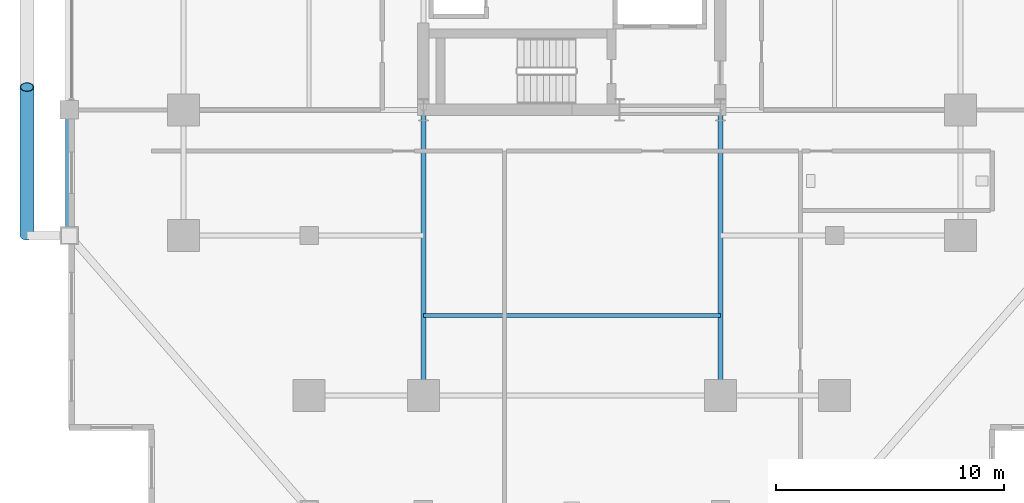
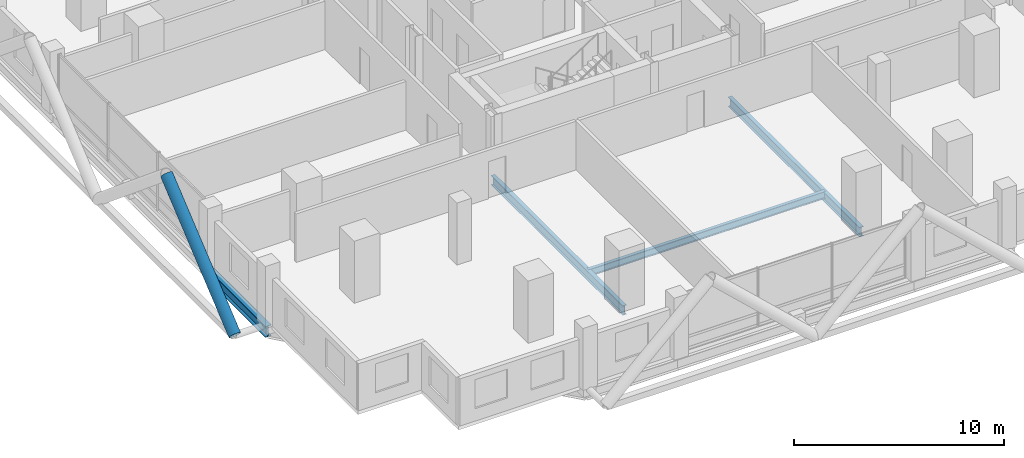
# One storey, part 5 of 26: 4 beams, 1 member.
"""IFC4 building model written with IfcOpenShell, lengths in metres."""

from ifc_helpers import new_model, si_unit, direction, frame, origin, origin_2d, place, context, subcontext, project, spatial, hollow_circle, i_section, extrude, material, material_profile, profile_set, type_object, element, save


model = new_model("IFC4")

# Units and contexts
model_context = context("Model", 3, precision=1e-05, world=origin(), true_north=direction((0.0, 1.0)))
body_context = subcontext(model_context, "Body", "Model", "MODEL_VIEW")
ifc_project = project(units=[si_unit("LENGTHUNIT", "METRE"), si_unit("AREAUNIT", "SQUARE_METRE"), si_unit("VOLUMEUNIT", "CUBIC_METRE"), si_unit("PLANEANGLEUNIT", "RADIAN"), si_unit("MASSUNIT", "GRAM", prefix="KILO")], contexts=[model_context])

# Site, building, storey
site_placement = place(None, origin())
site = spatial("IfcSite", under=ifc_project, at=site_placement, CompositionType="ELEMENT")
building_placement = place(site_placement, origin())
building = spatial("IfcBuilding", under=site, at=building_placement, Name="Barlavira Tower and Art Museum", CompositionType="ELEMENT")
storey_placement = place(building_placement, frame((0.0, 0.0, 82.800048828125)))
storey = spatial("IfcBuildingStorey", under=building, at=storey_placement, Name="L20", CompositionType="ELEMENT", Elevation=82.800048828125)

# Member
ifc_material = material(Name="Steel S355", Category="steel")
ifc_material_profile_1 = material_profile(ifc_material, hollow_circle(Radius=0.304931640625, WallThickness=0.028076171875, at=origin_2d()), Name="CHS 610.0x28.0")
ifc_profile_set_1 = profile_set([ifc_material_profile_1], Name="Steel S355")
member_type = type_object("IfcMemberType", Name="Pale-Metal Exoskeleton Diagrid Tube CHS 610x28 Steel S355", PredefinedType="BRACE", material=ifc_profile_set_1)
member_placement = place(storey_placement, frame((-23.85009765625, -13.0, -0.1201171875), z_axis=(0.0, 0.76918185268, 0.639029950399), x_axis=(-1.0, 0.0, 0.0)))
element("IfcMember", 1, at=member_placement, inside=storey, type_object=member_type, Name="L20 Exoskeleton Diagrid Tube W", PredefinedType="BRACE", context=body_context, shape_type="SweptSolid", body=[
    extrude(hollow_circle(Radius=0.304931640625, WallThickness=0.028076171875, at=origin_2d()), origin(), (0.0, 0.0, 1.0), 8.450439453125),
])

# Beams
ifc_material_profile_2 = material_profile(ifc_material, i_section(OverallWidth=0.327880859375, OverallDepth=0.62890625, WebThickness=0.013916015625, FlangeThickness=0.021484375, at=origin_2d()), Name="W610x174.0")
ifc_profile_set_2 = profile_set([ifc_material_profile_2], Name="Steel S355")
beam_type_1 = type_object("IfcBeamType", Name="Perimeter Spandrel Edge Beam W610x174 Steel S355", PredefinedType="SPANDREL", material=ifc_profile_set_2)
beam_1_placement = place(storey_placement, frame((-22.0, -13.0, -0.53466796875), z_axis=(0.0, 1.0, 0.0), x_axis=(-1.0, 0.0, 0.0)))
element("IfcBeam", 2, at=beam_1_placement, inside=storey, type_object=beam_type_1, Name="L20 Spandrel 15", PredefinedType="SPANDREL", context=body_context, shape_type="SweptSolid", body=[
    extrude(i_section(OverallWidth=0.327880859375, OverallDepth=0.62890625, WebThickness=0.013916015625, FlangeThickness=0.021484375, at=origin_2d()), origin(), (0.0, 0.0, 1.0), 5.5),
])
ifc_material_profile_3 = material_profile(ifc_material, i_section(OverallWidth=0.180908203125, OverallDepth=0.4169921875, WebThickness=0.010986328125, FlangeThickness=0.018310546875, at=origin_2d()), Name="W410x85.0")
ifc_profile_set_3 = profile_set([ifc_material_profile_3], Name="Steel S355")
beam_type_2 = type_object("IfcBeamType", Name="Zone 1 Composite Floor Joist W410x85 Steel S355", PredefinedType="JOIST", material=ifc_profile_set_3)
beam_2_placement = place(storey_placement, frame((-6.5, -16.5, -0.428466796875), z_axis=(1.0, 0.0, 0.0), x_axis=(0.0, 1.0, 0.0)))
element("IfcBeam", 3, at=beam_2_placement, inside=storey, type_object=beam_type_2, Name="L20 Joist C1", PredefinedType="JOIST", context=body_context, shape_type="SweptSolid", body=[
    extrude(i_section(OverallWidth=0.180908203125, OverallDepth=0.4169921875, WebThickness=0.010986328125, FlangeThickness=0.018310546875, at=origin_2d()), origin(), (0.0, 0.0, 1.0), 13.0),
])
ifc_material_profile_4 = material_profile(ifc_material, i_section(OverallWidth=0.214111328125, OverallDepth=0.549072265625, WebThickness=0.0146484375, FlangeThickness=0.023681640625, at=origin_2d()), Name="W530x138.0")
ifc_profile_set_4 = profile_set([ifc_material_profile_4], Name="Steel S355")
beam_type_3 = type_object("IfcBeamType", Name="Zone 1 Primary Floor Girder W530x138 Steel S355", PredefinedType="BEAM", material=ifc_profile_set_4)
for number, where, z_axis, x_axis, name in (
    (4, (-6.5, -20.0, -0.49462890625), (0.0, 1.0, 0.0), (-1.0, 0.0, 0.0), "L20 Girder R-S1"),
    (5, (6.5, -20.0, -0.49462890625), (0.0, 1.0, 0.0), (-1.0, 0.0, 0.0), "L20 Girder R-S2"),
):
    element("IfcBeam", number, at=place(storey_placement, frame(where, z_axis=z_axis, x_axis=x_axis)), inside=storey, type_object=beam_type_3, Name=name, PredefinedType="BEAM", context=body_context, shape_type="SweptSolid", body=[
        extrude(i_section(OverallWidth=0.214111328125, OverallDepth=0.549072265625, WebThickness=0.0146484375, FlangeThickness=0.023681640625, at=origin_2d()), origin(), (0.0, 0.0, 1.0), 12.5),
    ])

save(model, "model.ifc")
